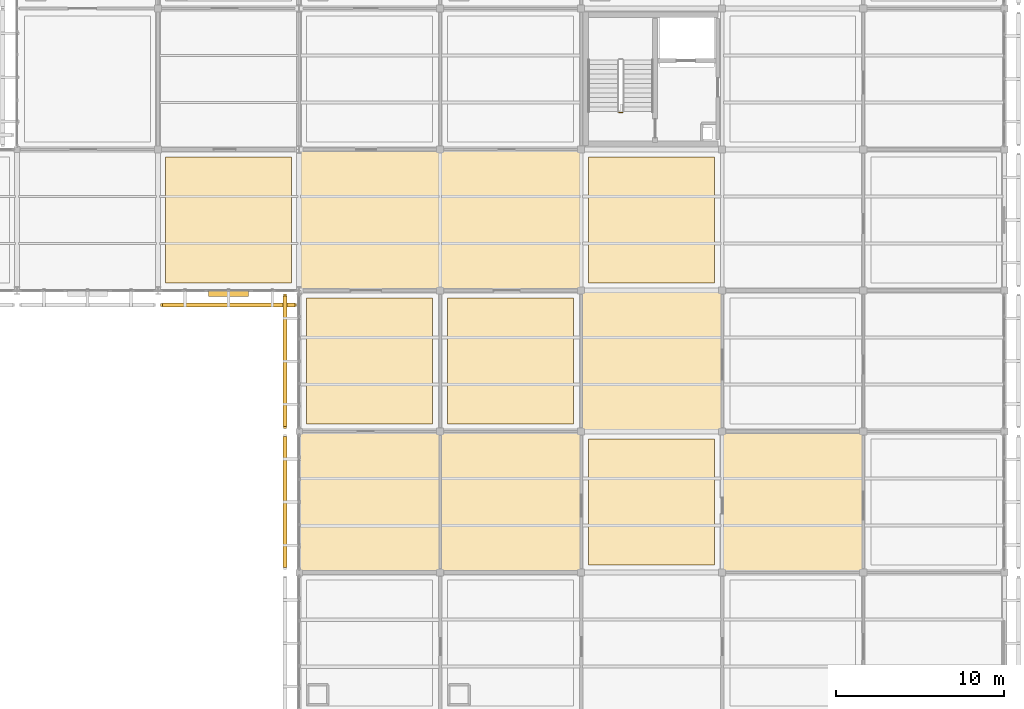
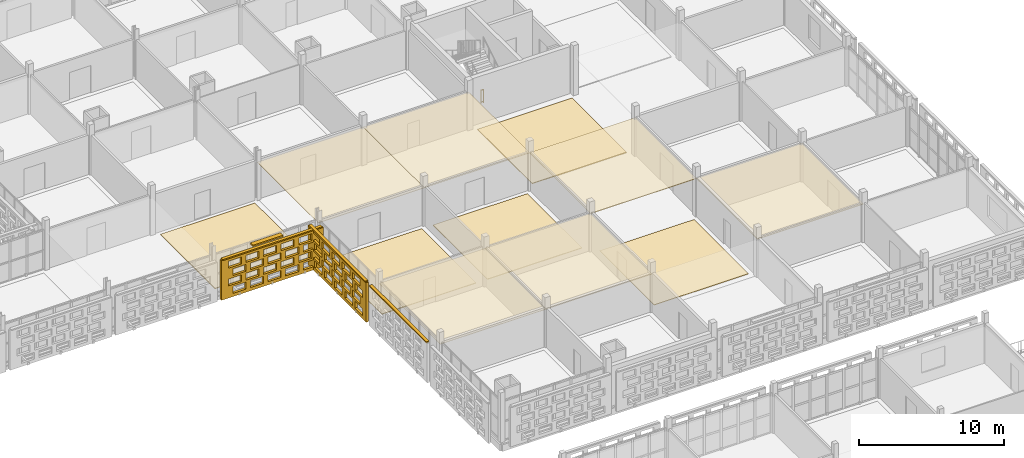
# One storey, part 160 of 166: 13 coverings, 4 shading devices, 1 railing, 40 openings.
"""IFC4 building model written with IfcOpenShell, lengths in metres."""

from ifc_helpers import new_model, si_unit, direction, frame, frame_2d, origin, origin_2d, place, context, subcontext, project, spatial, rectangle, circle, extrude, material, layer, layer_set, type_object, element, save


model = new_model("IFC4")

# Units and contexts
model_context = context("Model", 3, precision=1e-05, world=origin(), true_north=direction((0.0, 1.0)))
body_context = subcontext(model_context, "Body", "Model", "MODEL_VIEW")
ifc_project = project(units=[si_unit("LENGTHUNIT", "METRE"), si_unit("AREAUNIT", "SQUARE_METRE"), si_unit("VOLUMEUNIT", "CUBIC_METRE"), si_unit("PLANEANGLEUNIT", "RADIAN"), si_unit("MASSUNIT", "GRAM", prefix="KILO")], contexts=[model_context])

# Site, building, storey
site_placement = place(None, origin())
site = spatial("IfcSite", under=ifc_project, at=site_placement, CompositionType="ELEMENT")
building_placement = place(site_placement, origin())
building = spatial("IfcBuilding", under=site, at=building_placement, Name="Varnapada Polytechnic", CompositionType="ELEMENT")
storey_placement = place(building_placement, frame((0.0, 0.0, 9.60009765625)))
storey = spatial("IfcBuildingStorey", under=building, at=storey_placement, Name="L02", CompositionType="ELEMENT", Elevation=9.60009765625)

# Coverings
ifc_material_1 = material(Name="Anti-Static Raised Laboratory Flooring")
ifc_layer_1 = layer(ifc_material_1, 0.06005859375)
ifc_layer_set_1 = layer_set([ifc_layer_1], Name="Anti-Static Raised Laboratory Flooring")
covering_type_1 = type_object("IfcCoveringType", Name="Floor Finish FLR-02", PredefinedType="FLOORING", material=ifc_layer_set_1)
for number, where, z_axis, x_axis, name in (
    (1, (130.199951171875, 88.199951171875, -0.000244140625), (0.0, 0.0, 1.0), (1.0, 0.0, 0.0), "L02 floor finish panel (16,11)"),
    (2, (138.60009765625, 79.800048828125, -0.000244140625), (0.0, 0.0, 1.0), (1.0, 0.0, 0.0), "L02 floor finish panel (17,10)"),
    (3, (147.0, 79.800048828125, -0.000244140625), (0.0, 0.0, 1.0), (1.0, 0.0, 0.0), "L02 floor finish panel (18,10)"),
    (4, (155.39990234375, 88.199951171875, -0.000244140625), (0.0, 0.0, 1.0), (1.0, 0.0, 0.0), "L02 floor finish panel (19,11)"),
):
    element("IfcCovering", number, at=place(storey_placement, frame(where, z_axis=z_axis, x_axis=x_axis)), inside=storey, type_object=covering_type_1, Name=name, PredefinedType="FLOORING", context=body_context, shape_type="SweptSolid", body=[
        extrude(rectangle(XDim=7.5, YDim=7.5, at=origin_2d()), origin(), (0.0, 0.0, 1.0), 0.06005859375),
    ])
ifc_material_2 = material(Name="Acoustic Rubber Seminar Flooring")
ifc_layer_2 = layer(ifc_material_2, 0.0400390625)
ifc_layer_set_2 = layer_set([ifc_layer_2], Name="Acoustic Rubber Seminar Flooring")
covering_type_2 = type_object("IfcCoveringType", Name="Floor Finish FLR-06", PredefinedType="FLOORING", material=ifc_layer_set_2)
covering_1_placement = place(storey_placement, frame((155.39990234375, 71.39990234375, 0.0), z_axis=(0.0, 0.0, 1.0), x_axis=(1.0, 0.0, 0.0)))
element("IfcCovering", 5, at=covering_1_placement, inside=storey, type_object=covering_type_2, Name="L02 floor finish panel (19,9)", PredefinedType="FLOORING", context=body_context, shape_type="SweptSolid", body=[
    extrude(rectangle(XDim=7.5, YDim=7.5, at=origin_2d()), origin(), (0.0, 0.0, 1.0), 0.0400390625),
])

# Shading device
ifc_material_3 = material(Name="Anodised aluminium", Category="aluminium")
ifc_layer_3 = layer(ifc_material_3, 0.35009765625)
ifc_layer_set_3 = layer_set([ifc_layer_3], Name="Anodised aluminium")
shading_device_type_1 = type_object("IfcShadingDeviceType", Name="Solar Louvre LVR-01", PredefinedType="JALOUSIE", material=ifc_layer_set_3)
shading_device_1_placement = place(storey_placement, frame((130.199951171875, 83.820068359375, 3.159912109375), z_axis=(0.0, 0.0, 1.0), x_axis=(-1.0, 0.0, 0.0)))
element("IfcShadingDevice", 6, at=shading_device_1_placement, inside=storey, type_object=shading_device_type_1, Name="L02 aluminium sun louvre 76", PredefinedType="JALOUSIE", context=body_context, shape_type="SweptSolid", body=[
    extrude(rectangle(XDim=2.39990234375, YDim=0.340087890625, at=origin_2d()), origin(), (0.0, 0.0, 1.0), 0.1201171875),
])

# Railing
ifc_material_4 = material(Name="Brushed Stainless Steel 316", Category="steel")
railing_type = type_object("IfcRailingType", Name="Stair Well Guard Rail SGR-01", PredefinedType="BALUSTRADE", material=ifc_material_4)
railing_placement = place(storey_placement, frame((153.64990234375, 94.60009765625, 0.0)))
element("IfcRailing", 7, at=railing_placement, inside=storey, type_object=railing_type, Name="L02 ST-5 stair guard 4", PredefinedType="BALUSTRADE", context=body_context, shape_type="SweptSolid", body=[
    extrude(circle(Radius=0.02392578125, at=origin_2d()), frame((0.0, 0.0, 1.09619140625), z_axis=(-1.0, 0.0, 0.0), x_axis=(0.0, -1.0, 0.0)), (0.0, 0.0, 1.0), 0.199951171875),
    extrude(circle(Radius=0.02392578125, at=origin_2d()), frame((0.0, 0.0, 0.10009765625), z_axis=(-1.0, 0.0, 0.0), x_axis=(0.0, -1.0, 0.0)), (0.0, 0.0, 1.0), 0.199951171875),
    extrude(circle(Radius=0.02099609375, at=origin_2d()), origin(), (0.0, 0.0, 1.0), 1.072021484375),
    extrude(circle(Radius=0.02099609375, at=origin_2d()), frame((-0.199951171875, 0.0, 0.0)), (0.0, 0.0, 1.0), 1.072021484375),
])

# Coverings
ifc_material_5 = material(Name="Mineral Fibre Acoustic Ceiling Tile")
ifc_layer_4 = layer(ifc_material_5, 0.0400390625)
ifc_layer_set_4 = layer_set([ifc_layer_4], Name="Mineral Fibre Acoustic Ceiling Tile")
covering_type_3 = type_object("IfcCoveringType", Name="Suspended Ceiling CLG-01", PredefinedType="CEILING", material=ifc_layer_set_4)
covering_2_placement = place(storey_placement, frame((138.60009765625, 88.199951171875, 3.02978515625), z_axis=(0.0, 0.0, 1.0), x_axis=(1.0, 0.0, 0.0)))
element("IfcCovering", 8, at=covering_2_placement, inside=storey, type_object=covering_type_3, Name="L02 suspended acoustic ceiling (17,11)", PredefinedType="CEILING", context=body_context, shape_type="SweptSolid", body=[
    extrude(rectangle(XDim=8.419921875, YDim=8.419921875, at=origin_2d()), origin(), (0.0, 0.0, 1.0), 0.0400390625),
])
ifc_material_6 = material(Name="Perforated Timber Slatted Baffle Ceiling", Category="wood")
ifc_layer_5 = layer(ifc_material_6, 0.050048828125)
ifc_layer_set_5 = layer_set([ifc_layer_5], Name="Perforated Timber Slatted Baffle Ceiling")
covering_type_4 = type_object("IfcCoveringType", Name="Suspended Ceiling CLG-02", PredefinedType="CEILING", material=ifc_layer_set_5)
covering_3_placement = place(storey_placement, frame((155.39990234375, 79.800048828125, 3.02490234375), z_axis=(0.0, 0.0, 1.0), x_axis=(1.0, 0.0, 0.0)))
element("IfcCovering", 9, at=covering_3_placement, inside=storey, type_object=covering_type_4, Name="L02 suspended acoustic ceiling (19,10)", PredefinedType="CEILING", context=body_context, shape_type="SweptSolid", body=[
    extrude(rectangle(XDim=8.419921875, YDim=8.419921875, at=origin_2d()), origin(), (0.0, 0.0, 1.0), 0.050048828125),
])
ifc_material_7 = material(Name="Micro-Perforated Gypsum Acoustic Ceiling")
ifc_layer_6 = layer(ifc_material_7, 0.044921875)
ifc_layer_set_6 = layer_set([ifc_layer_6], Name="Micro-Perforated Gypsum Acoustic Ceiling")
covering_type_5 = type_object("IfcCoveringType", Name="Suspended Ceiling CLG-04", PredefinedType="CEILING", material=ifc_layer_set_6)
covering_4_placement = place(storey_placement, frame((147.0, 71.39990234375, 3.02734375), z_axis=(0.0, 0.0, 1.0), x_axis=(1.0, 0.0, 0.0)))
element("IfcCovering", 10, at=covering_4_placement, inside=storey, type_object=covering_type_5, Name="L02 suspended acoustic ceiling (18,9)", PredefinedType="CEILING", context=body_context, shape_type="SweptSolid", body=[
    extrude(rectangle(XDim=8.419921875, YDim=8.419921875, at=origin_2d()), origin(), (0.0, 0.0, 1.0), 0.044921875),
])
ifc_material_8 = material(Name="Slatted Merbau Timber Acoustic Ceiling", Category="wood")
ifc_layer_7 = layer(ifc_material_8, 0.054931640625)
ifc_layer_set_7 = layer_set([ifc_layer_7], Name="Slatted Merbau Timber Acoustic Ceiling")
covering_type_6 = type_object("IfcCoveringType", Name="Suspended Ceiling CLG-05", PredefinedType="CEILING", material=ifc_layer_set_7)
covering_5_placement = place(storey_placement, frame((163.800048828125, 71.39990234375, 3.0224609375), z_axis=(0.0, 0.0, 1.0), x_axis=(1.0, 0.0, 0.0)))
element("IfcCovering", 11, at=covering_5_placement, inside=storey, type_object=covering_type_6, Name="L02 suspended acoustic ceiling (20,9)", PredefinedType="CEILING", context=body_context, shape_type="SweptSolid", body=[
    extrude(rectangle(XDim=8.419921875, YDim=8.419921875, at=origin_2d()), origin(), (0.0, 0.0, 1.0), 0.054931640625),
])
ifc_material_9 = material(Name="Cleanroom Laboratory Metal Pan Ceiling")
ifc_layer_8 = layer(ifc_material_9, 0.034912109375)
ifc_layer_set_8 = layer_set([ifc_layer_8], Name="Cleanroom Laboratory Metal Pan Ceiling")
covering_type_7 = type_object("IfcCoveringType", Name="Suspended Ceiling CLG-06", PredefinedType="CEILING", material=ifc_layer_set_8)
for number, where, z_axis, x_axis, name in (
    (12, (138.60009765625, 71.39990234375, 3.0322265625), (0.0, 0.0, 1.0), (1.0, 0.0, 0.0), "L02 suspended acoustic ceiling (17,9)"),
    (13, (147.0, 88.199951171875, 3.0322265625), (0.0, 0.0, 1.0), (1.0, 0.0, 0.0), "L02 suspended acoustic ceiling (18,11)"),
):
    element("IfcCovering", number, at=place(storey_placement, frame(where, z_axis=z_axis, x_axis=x_axis)), inside=storey, type_object=covering_type_7, Name=name, PredefinedType="CEILING", context=body_context, shape_type="SweptSolid", body=[
        extrude(rectangle(XDim=8.419921875, YDim=8.419921875, at=origin_2d()), origin(), (0.0, 0.0, 1.0), 0.034912109375),
    ])

# Covering, openings
ifc_material_10 = material(Name="Earth-toned architectural terracotta screen block", Category="masonry")
ifc_layer_9 = layer(ifc_material_10, 0.1201171875)
ifc_layer_set_9 = layer_set([ifc_layer_9], Name="Earth-toned architectural terracotta screen block")
covering_type_8 = type_object("IfcCoveringType", Name="Terracotta Screen Cladding CLD-01", PredefinedType="CLADDING", material=ifc_layer_set_9)
covering_6_placement = place(storey_placement, frame((134.25, 83.14990234375, 0.0), z_axis=(0.0, 0.0, 1.0), x_axis=(-1.0, 0.0, 0.0)))
covering_6 = element("IfcCovering", 14, at=covering_6_placement, inside=storey, type_object=covering_type_8, Name="L02 perforated terracotta block screen (76)", PredefinedType="CLADDING", context=body_context, shape_type="SweptSolid", body=[
    extrude(rectangle(XDim=8.10009765625, YDim=0.179931640625, at=frame_2d((4.050048828125, 0.0))), origin(), (0.0, 0.0, 1.0), 3.31982421875),
])
opening_1_placement = place(covering_6_placement, frame((0.550048828125, 0.0, 0.265625)))
element("IfcOpeningElement", 15, at=opening_1_placement, cuts=covering_6, Name="Screen perforation TBS-L02-075.1", PredefinedType="OPENING", context=body_context, shape_type="SweptSolid", body=[
    extrude(rectangle(XDim=1.0400390625, YDim=0.5810546875, at=frame_2d((0.52001953125, 0.29052734375))), frame((0.0, 0.099853515625, 0.0), z_axis=(0.0, -1.0, 0.0), x_axis=(1.0, 0.0, 0.0)), (0.0, 0.0, 1.0), 0.199951171875),
])
opening_2_placement = place(covering_6_placement, frame((1.949951171875, 0.0, 0.265625)))
element("IfcOpeningElement", 16, at=opening_2_placement, cuts=covering_6, Name="Screen perforation TBS-L02-075.2", PredefinedType="OPENING", context=body_context, shape_type="SweptSolid", body=[
    extrude(rectangle(XDim=1.0400390625, YDim=0.5810546875, at=frame_2d((0.52001953125, 0.29052734375))), frame((0.0, 0.099853515625, 0.0), z_axis=(0.0, -1.0, 0.0), x_axis=(1.0, 0.0, 0.0)), (0.0, 0.0, 1.0), 0.199951171875),
])
opening_3_placement = place(covering_6_placement, frame((3.35009765625, 0.0, 0.265625)))
element("IfcOpeningElement", 17, at=opening_3_placement, cuts=covering_6, Name="Screen perforation TBS-L02-075.3", PredefinedType="OPENING", context=body_context, shape_type="SweptSolid", body=[
    extrude(rectangle(XDim=1.0400390625, YDim=0.5810546875, at=frame_2d((0.52001953125, 0.29052734375))), frame((0.0, 0.099853515625, 0.0), z_axis=(0.0, -1.0, 0.0), x_axis=(1.0, 0.0, 0.0)), (0.0, 0.0, 1.0), 0.199951171875),
])
opening_4_placement = place(covering_6_placement, frame((4.75, 0.0, 0.265625)))
element("IfcOpeningElement", 18, at=opening_4_placement, cuts=covering_6, Name="Screen perforation TBS-L02-075.4", PredefinedType="OPENING", context=body_context, shape_type="SweptSolid", body=[
    extrude(rectangle(XDim=1.0400390625, YDim=0.5810546875, at=frame_2d((0.52001953125, 0.29052734375))), frame((0.0, 0.099853515625, 0.0), z_axis=(0.0, -1.0, 0.0), x_axis=(1.0, 0.0, 0.0)), (0.0, 0.0, 1.0), 0.199951171875),
])
opening_5_placement = place(covering_6_placement, frame((6.14990234375, 0.0, 0.265625)))
element("IfcOpeningElement", 19, at=opening_5_placement, cuts=covering_6, Name="Screen perforation TBS-L02-075.5", PredefinedType="OPENING", context=body_context, shape_type="SweptSolid", body=[
    extrude(rectangle(XDim=1.0400390625, YDim=0.5810546875, at=frame_2d((0.52001953125, 0.29052734375))), frame((0.0, 0.099853515625, 0.0), z_axis=(0.0, -1.0, 0.0), x_axis=(1.0, 0.0, 0.0)), (0.0, 0.0, 1.0), 0.199951171875),
])
opening_6_placement = place(covering_6_placement, frame((0.909912109375, 0.0, 1.0126953125)))
element("IfcOpeningElement", 20, at=opening_6_placement, cuts=covering_6, Name="Screen perforation TBS-L02-075.6", PredefinedType="OPENING", context=body_context, shape_type="SweptSolid", body=[
    extrude(rectangle(XDim=1.0400390625, YDim=0.5810546875, at=frame_2d((0.52001953125, 0.29052734375))), frame((0.0, 0.099853515625, 0.0), z_axis=(0.0, -1.0, 0.0), x_axis=(1.0, 0.0, 0.0)), (0.0, 0.0, 1.0), 0.199951171875),
])
opening_7_placement = place(covering_6_placement, frame((2.31005859375, 0.0, 1.0126953125)))
element("IfcOpeningElement", 21, at=opening_7_placement, cuts=covering_6, Name="Screen perforation TBS-L02-075.7", PredefinedType="OPENING", context=body_context, shape_type="SweptSolid", body=[
    extrude(rectangle(XDim=1.0400390625, YDim=0.5810546875, at=frame_2d((0.52001953125, 0.29052734375))), frame((0.0, 0.099853515625, 0.0), z_axis=(0.0, -1.0, 0.0), x_axis=(1.0, 0.0, 0.0)), (0.0, 0.0, 1.0), 0.199951171875),
])
opening_8_placement = place(covering_6_placement, frame((3.7099609375, 0.0, 1.0126953125)))
element("IfcOpeningElement", 22, at=opening_8_placement, cuts=covering_6, Name="Screen perforation TBS-L02-075.8", PredefinedType="OPENING", context=body_context, shape_type="SweptSolid", body=[
    extrude(rectangle(XDim=1.0400390625, YDim=0.5810546875, at=frame_2d((0.52001953125, 0.29052734375))), frame((0.0, 0.099853515625, 0.0), z_axis=(0.0, -1.0, 0.0), x_axis=(1.0, 0.0, 0.0)), (0.0, 0.0, 1.0), 0.199951171875),
])
opening_9_placement = place(covering_6_placement, frame((5.110107421875, 0.0, 1.0126953125)))
element("IfcOpeningElement", 23, at=opening_9_placement, cuts=covering_6, Name="Screen perforation TBS-L02-075.9", PredefinedType="OPENING", context=body_context, shape_type="SweptSolid", body=[
    extrude(rectangle(XDim=1.0400390625, YDim=0.5810546875, at=frame_2d((0.52001953125, 0.29052734375))), frame((0.0, 0.099853515625, 0.0), z_axis=(0.0, -1.0, 0.0), x_axis=(1.0, 0.0, 0.0)), (0.0, 0.0, 1.0), 0.199951171875),
])
opening_10_placement = place(covering_6_placement, frame((6.510009765625, 0.0, 1.0126953125)))
element("IfcOpeningElement", 24, at=opening_10_placement, cuts=covering_6, Name="Screen perforation TBS-L02-075.10", PredefinedType="OPENING", context=body_context, shape_type="SweptSolid", body=[
    extrude(rectangle(XDim=1.0400390625, YDim=0.5810546875, at=frame_2d((0.52001953125, 0.29052734375))), frame((0.0, 0.099853515625, 0.0), z_axis=(0.0, -1.0, 0.0), x_axis=(1.0, 0.0, 0.0)), (0.0, 0.0, 1.0), 0.199951171875),
])
opening_11_placement = place(covering_6_placement, frame((0.550048828125, 0.0, 1.759521484375)))
element("IfcOpeningElement", 25, at=opening_11_placement, cuts=covering_6, Name="Screen perforation TBS-L02-075.11", PredefinedType="OPENING", context=body_context, shape_type="SweptSolid", body=[
    extrude(rectangle(XDim=1.0400390625, YDim=0.5810546875, at=frame_2d((0.52001953125, 0.29052734375))), frame((0.0, 0.099853515625, 0.0), z_axis=(0.0, -1.0, 0.0), x_axis=(1.0, 0.0, 0.0)), (0.0, 0.0, 1.0), 0.199951171875),
])
opening_12_placement = place(covering_6_placement, frame((1.949951171875, 0.0, 1.759521484375)))
element("IfcOpeningElement", 26, at=opening_12_placement, cuts=covering_6, Name="Screen perforation TBS-L02-075.12", PredefinedType="OPENING", context=body_context, shape_type="SweptSolid", body=[
    extrude(rectangle(XDim=1.0400390625, YDim=0.5810546875, at=frame_2d((0.52001953125, 0.29052734375))), frame((0.0, 0.099853515625, 0.0), z_axis=(0.0, -1.0, 0.0), x_axis=(1.0, 0.0, 0.0)), (0.0, 0.0, 1.0), 0.199951171875),
])
opening_13_placement = place(covering_6_placement, frame((3.35009765625, 0.0, 1.759521484375)))
element("IfcOpeningElement", 27, at=opening_13_placement, cuts=covering_6, Name="Screen perforation TBS-L02-075.13", PredefinedType="OPENING", context=body_context, shape_type="SweptSolid", body=[
    extrude(rectangle(XDim=1.0400390625, YDim=0.5810546875, at=frame_2d((0.52001953125, 0.29052734375))), frame((0.0, 0.099853515625, 0.0), z_axis=(0.0, -1.0, 0.0), x_axis=(1.0, 0.0, 0.0)), (0.0, 0.0, 1.0), 0.199951171875),
])
opening_14_placement = place(covering_6_placement, frame((4.75, 0.0, 1.759521484375)))
element("IfcOpeningElement", 28, at=opening_14_placement, cuts=covering_6, Name="Screen perforation TBS-L02-075.14", PredefinedType="OPENING", context=body_context, shape_type="SweptSolid", body=[
    extrude(rectangle(XDim=1.0400390625, YDim=0.5810546875, at=frame_2d((0.52001953125, 0.29052734375))), frame((0.0, 0.099853515625, 0.0), z_axis=(0.0, -1.0, 0.0), x_axis=(1.0, 0.0, 0.0)), (0.0, 0.0, 1.0), 0.199951171875),
])
opening_15_placement = place(covering_6_placement, frame((6.14990234375, 0.0, 1.759521484375)))
element("IfcOpeningElement", 29, at=opening_15_placement, cuts=covering_6, Name="Screen perforation TBS-L02-075.15", PredefinedType="OPENING", context=body_context, shape_type="SweptSolid", body=[
    extrude(rectangle(XDim=1.0400390625, YDim=0.5810546875, at=frame_2d((0.52001953125, 0.29052734375))), frame((0.0, 0.099853515625, 0.0), z_axis=(0.0, -1.0, 0.0), x_axis=(1.0, 0.0, 0.0)), (0.0, 0.0, 1.0), 0.199951171875),
])
opening_16_placement = place(covering_6_placement, frame((0.909912109375, 0.0, 2.506591796875)))
element("IfcOpeningElement", 30, at=opening_16_placement, cuts=covering_6, Name="Screen perforation TBS-L02-075.16", PredefinedType="OPENING", context=body_context, shape_type="SweptSolid", body=[
    extrude(rectangle(XDim=1.0400390625, YDim=0.5810546875, at=frame_2d((0.52001953125, 0.29052734375))), frame((0.0, 0.099853515625, 0.0), z_axis=(0.0, -1.0, 0.0), x_axis=(1.0, 0.0, 0.0)), (0.0, 0.0, 1.0), 0.199951171875),
])
opening_17_placement = place(covering_6_placement, frame((2.31005859375, 0.0, 2.506591796875)))
element("IfcOpeningElement", 31, at=opening_17_placement, cuts=covering_6, Name="Screen perforation TBS-L02-075.17", PredefinedType="OPENING", context=body_context, shape_type="SweptSolid", body=[
    extrude(rectangle(XDim=1.0400390625, YDim=0.5810546875, at=frame_2d((0.52001953125, 0.29052734375))), frame((0.0, 0.099853515625, 0.0), z_axis=(0.0, -1.0, 0.0), x_axis=(1.0, 0.0, 0.0)), (0.0, 0.0, 1.0), 0.199951171875),
])
opening_18_placement = place(covering_6_placement, frame((3.7099609375, 0.0, 2.506591796875)))
element("IfcOpeningElement", 32, at=opening_18_placement, cuts=covering_6, Name="Screen perforation TBS-L02-075.18", PredefinedType="OPENING", context=body_context, shape_type="SweptSolid", body=[
    extrude(rectangle(XDim=1.0400390625, YDim=0.5810546875, at=frame_2d((0.52001953125, 0.29052734375))), frame((0.0, 0.099853515625, 0.0), z_axis=(0.0, -1.0, 0.0), x_axis=(1.0, 0.0, 0.0)), (0.0, 0.0, 1.0), 0.199951171875),
])
opening_19_placement = place(covering_6_placement, frame((5.110107421875, 0.0, 2.506591796875)))
element("IfcOpeningElement", 33, at=opening_19_placement, cuts=covering_6, Name="Screen perforation TBS-L02-075.19", PredefinedType="OPENING", context=body_context, shape_type="SweptSolid", body=[
    extrude(rectangle(XDim=1.0400390625, YDim=0.5810546875, at=frame_2d((0.52001953125, 0.29052734375))), frame((0.0, 0.099853515625, 0.0), z_axis=(0.0, -1.0, 0.0), x_axis=(1.0, 0.0, 0.0)), (0.0, 0.0, 1.0), 0.199951171875),
])
opening_20_placement = place(covering_6_placement, frame((6.510009765625, 0.0, 2.506591796875)))
element("IfcOpeningElement", 34, at=opening_20_placement, cuts=covering_6, Name="Screen perforation TBS-L02-075.20", PredefinedType="OPENING", context=body_context, shape_type="SweptSolid", body=[
    extrude(rectangle(XDim=1.0400390625, YDim=0.5810546875, at=frame_2d((0.52001953125, 0.29052734375))), frame((0.0, 0.099853515625, 0.0), z_axis=(0.0, -1.0, 0.0), x_axis=(1.0, 0.0, 0.0)), (0.0, 0.0, 1.0), 0.199951171875),
])

covering_7_placement = place(storey_placement, frame((133.550048828125, 75.7900390625, 0.0), z_axis=(0.0, 0.0, 1.0), x_axis=(0.0, 1.0, 0.0)))
covering_7 = element("IfcCovering", 35, at=covering_7_placement, inside=storey, type_object=covering_type_8, Name="L02 perforated terracotta block screen (89)", PredefinedType="CLADDING", context=body_context, shape_type="SweptSolid", body=[
    extrude(rectangle(XDim=7.989990234375, YDim=0.179931640625, at=frame_2d((3.9951171875, 0.0))), origin(), (0.0, 0.0, 1.0), 3.31982421875),
])
opening_21_placement = place(covering_7_placement, frame((0.4951171875, 0.0, 0.265625)))
element("IfcOpeningElement", 36, at=opening_21_placement, cuts=covering_7, Name="Screen perforation TBS-L02-088.1", PredefinedType="OPENING", context=body_context, shape_type="SweptSolid", body=[
    extrude(rectangle(XDim=1.0400390625, YDim=0.5810546875, at=frame_2d((0.52001953125, 0.29052734375))), frame((0.0, 0.099853515625, 0.0), z_axis=(0.0, -1.0, 0.0), x_axis=(1.0, 0.0, 0.0)), (0.0, 0.0, 1.0), 0.199951171875),
])
opening_22_placement = place(covering_7_placement, frame((1.89501953125, 0.0, 0.265625)))
element("IfcOpeningElement", 37, at=opening_22_placement, cuts=covering_7, Name="Screen perforation TBS-L02-088.2", PredefinedType="OPENING", context=body_context, shape_type="SweptSolid", body=[
    extrude(rectangle(XDim=1.0400390625, YDim=0.5810546875, at=frame_2d((0.52001953125, 0.29052734375))), frame((0.0, 0.099853515625, 0.0), z_axis=(0.0, -1.0, 0.0), x_axis=(1.0, 0.0, 0.0)), (0.0, 0.0, 1.0), 0.199951171875),
])
opening_23_placement = place(covering_7_placement, frame((3.294921875, 0.0, 0.265625)))
element("IfcOpeningElement", 38, at=opening_23_placement, cuts=covering_7, Name="Screen perforation TBS-L02-088.3", PredefinedType="OPENING", context=body_context, shape_type="SweptSolid", body=[
    extrude(rectangle(XDim=1.0400390625, YDim=0.5810546875, at=frame_2d((0.52001953125, 0.29052734375))), frame((0.0, 0.099853515625, 0.0), z_axis=(0.0, -1.0, 0.0), x_axis=(1.0, 0.0, 0.0)), (0.0, 0.0, 1.0), 0.199951171875),
])
opening_24_placement = place(covering_7_placement, frame((4.695068359375, 0.0, 0.265625)))
element("IfcOpeningElement", 39, at=opening_24_placement, cuts=covering_7, Name="Screen perforation TBS-L02-088.4", PredefinedType="OPENING", context=body_context, shape_type="SweptSolid", body=[
    extrude(rectangle(XDim=1.0400390625, YDim=0.5810546875, at=frame_2d((0.52001953125, 0.29052734375))), frame((0.0, 0.099853515625, 0.0), z_axis=(0.0, -1.0, 0.0), x_axis=(1.0, 0.0, 0.0)), (0.0, 0.0, 1.0), 0.199951171875),
])
opening_25_placement = place(covering_7_placement, frame((6.094970703125, 0.0, 0.265625)))
element("IfcOpeningElement", 40, at=opening_25_placement, cuts=covering_7, Name="Screen perforation TBS-L02-088.5", PredefinedType="OPENING", context=body_context, shape_type="SweptSolid", body=[
    extrude(rectangle(XDim=1.0400390625, YDim=0.5810546875, at=frame_2d((0.52001953125, 0.29052734375))), frame((0.0, 0.099853515625, 0.0), z_axis=(0.0, -1.0, 0.0), x_axis=(1.0, 0.0, 0.0)), (0.0, 0.0, 1.0), 0.199951171875),
])
opening_26_placement = place(covering_7_placement, frame((0.85498046875, 0.0, 1.0126953125)))
element("IfcOpeningElement", 41, at=opening_26_placement, cuts=covering_7, Name="Screen perforation TBS-L02-088.6", PredefinedType="OPENING", context=body_context, shape_type="SweptSolid", body=[
    extrude(rectangle(XDim=1.0400390625, YDim=0.5810546875, at=frame_2d((0.52001953125, 0.29052734375))), frame((0.0, 0.099853515625, 0.0), z_axis=(0.0, -1.0, 0.0), x_axis=(1.0, 0.0, 0.0)), (0.0, 0.0, 1.0), 0.199951171875),
])
opening_27_placement = place(covering_7_placement, frame((2.2548828125, 0.0, 1.0126953125)))
element("IfcOpeningElement", 42, at=opening_27_placement, cuts=covering_7, Name="Screen perforation TBS-L02-088.7", PredefinedType="OPENING", context=body_context, shape_type="SweptSolid", body=[
    extrude(rectangle(XDim=1.0400390625, YDim=0.5810546875, at=frame_2d((0.52001953125, 0.29052734375))), frame((0.0, 0.099853515625, 0.0), z_axis=(0.0, -1.0, 0.0), x_axis=(1.0, 0.0, 0.0)), (0.0, 0.0, 1.0), 0.199951171875),
])
opening_28_placement = place(covering_7_placement, frame((3.655029296875, 0.0, 1.0126953125)))
element("IfcOpeningElement", 43, at=opening_28_placement, cuts=covering_7, Name="Screen perforation TBS-L02-088.8", PredefinedType="OPENING", context=body_context, shape_type="SweptSolid", body=[
    extrude(rectangle(XDim=1.0400390625, YDim=0.5810546875, at=frame_2d((0.52001953125, 0.29052734375))), frame((0.0, 0.099853515625, 0.0), z_axis=(0.0, -1.0, 0.0), x_axis=(1.0, 0.0, 0.0)), (0.0, 0.0, 1.0), 0.199951171875),
])
opening_29_placement = place(covering_7_placement, frame((5.054931640625, 0.0, 1.0126953125)))
element("IfcOpeningElement", 44, at=opening_29_placement, cuts=covering_7, Name="Screen perforation TBS-L02-088.9", PredefinedType="OPENING", context=body_context, shape_type="SweptSolid", body=[
    extrude(rectangle(XDim=1.0400390625, YDim=0.5810546875, at=frame_2d((0.52001953125, 0.29052734375))), frame((0.0, 0.099853515625, 0.0), z_axis=(0.0, -1.0, 0.0), x_axis=(1.0, 0.0, 0.0)), (0.0, 0.0, 1.0), 0.199951171875),
])
opening_30_placement = place(covering_7_placement, frame((6.455078125, 0.0, 1.0126953125)))
element("IfcOpeningElement", 45, at=opening_30_placement, cuts=covering_7, Name="Screen perforation TBS-L02-088.10", PredefinedType="OPENING", context=body_context, shape_type="SweptSolid", body=[
    extrude(rectangle(XDim=1.0400390625, YDim=0.5810546875, at=frame_2d((0.52001953125, 0.29052734375))), frame((0.0, 0.099853515625, 0.0), z_axis=(0.0, -1.0, 0.0), x_axis=(1.0, 0.0, 0.0)), (0.0, 0.0, 1.0), 0.199951171875),
])
opening_31_placement = place(covering_7_placement, frame((0.4951171875, 0.0, 1.759521484375)))
element("IfcOpeningElement", 46, at=opening_31_placement, cuts=covering_7, Name="Screen perforation TBS-L02-088.11", PredefinedType="OPENING", context=body_context, shape_type="SweptSolid", body=[
    extrude(rectangle(XDim=1.0400390625, YDim=0.5810546875, at=frame_2d((0.52001953125, 0.29052734375))), frame((0.0, 0.099853515625, 0.0), z_axis=(0.0, -1.0, 0.0), x_axis=(1.0, 0.0, 0.0)), (0.0, 0.0, 1.0), 0.199951171875),
])
opening_32_placement = place(covering_7_placement, frame((1.89501953125, 0.0, 1.759521484375)))
element("IfcOpeningElement", 47, at=opening_32_placement, cuts=covering_7, Name="Screen perforation TBS-L02-088.12", PredefinedType="OPENING", context=body_context, shape_type="SweptSolid", body=[
    extrude(rectangle(XDim=1.0400390625, YDim=0.5810546875, at=frame_2d((0.52001953125, 0.29052734375))), frame((0.0, 0.099853515625, 0.0), z_axis=(0.0, -1.0, 0.0), x_axis=(1.0, 0.0, 0.0)), (0.0, 0.0, 1.0), 0.199951171875),
])
opening_33_placement = place(covering_7_placement, frame((3.294921875, 0.0, 1.759521484375)))
element("IfcOpeningElement", 48, at=opening_33_placement, cuts=covering_7, Name="Screen perforation TBS-L02-088.13", PredefinedType="OPENING", context=body_context, shape_type="SweptSolid", body=[
    extrude(rectangle(XDim=1.0400390625, YDim=0.5810546875, at=frame_2d((0.52001953125, 0.29052734375))), frame((0.0, 0.099853515625, 0.0), z_axis=(0.0, -1.0, 0.0), x_axis=(1.0, 0.0, 0.0)), (0.0, 0.0, 1.0), 0.199951171875),
])
opening_34_placement = place(covering_7_placement, frame((4.695068359375, 0.0, 1.759521484375)))
element("IfcOpeningElement", 49, at=opening_34_placement, cuts=covering_7, Name="Screen perforation TBS-L02-088.14", PredefinedType="OPENING", context=body_context, shape_type="SweptSolid", body=[
    extrude(rectangle(XDim=1.0400390625, YDim=0.5810546875, at=frame_2d((0.52001953125, 0.29052734375))), frame((0.0, 0.099853515625, 0.0), z_axis=(0.0, -1.0, 0.0), x_axis=(1.0, 0.0, 0.0)), (0.0, 0.0, 1.0), 0.199951171875),
])
opening_35_placement = place(covering_7_placement, frame((6.094970703125, 0.0, 1.759521484375)))
element("IfcOpeningElement", 50, at=opening_35_placement, cuts=covering_7, Name="Screen perforation TBS-L02-088.15", PredefinedType="OPENING", context=body_context, shape_type="SweptSolid", body=[
    extrude(rectangle(XDim=1.0400390625, YDim=0.5810546875, at=frame_2d((0.52001953125, 0.29052734375))), frame((0.0, 0.099853515625, 0.0), z_axis=(0.0, -1.0, 0.0), x_axis=(1.0, 0.0, 0.0)), (0.0, 0.0, 1.0), 0.199951171875),
])
opening_36_placement = place(covering_7_placement, frame((0.85498046875, 0.0, 2.506591796875)))
element("IfcOpeningElement", 51, at=opening_36_placement, cuts=covering_7, Name="Screen perforation TBS-L02-088.16", PredefinedType="OPENING", context=body_context, shape_type="SweptSolid", body=[
    extrude(rectangle(XDim=1.0400390625, YDim=0.5810546875, at=frame_2d((0.52001953125, 0.29052734375))), frame((0.0, 0.099853515625, 0.0), z_axis=(0.0, -1.0, 0.0), x_axis=(1.0, 0.0, 0.0)), (0.0, 0.0, 1.0), 0.199951171875),
])
opening_37_placement = place(covering_7_placement, frame((2.2548828125, 0.0, 2.506591796875)))
element("IfcOpeningElement", 52, at=opening_37_placement, cuts=covering_7, Name="Screen perforation TBS-L02-088.17", PredefinedType="OPENING", context=body_context, shape_type="SweptSolid", body=[
    extrude(rectangle(XDim=1.0400390625, YDim=0.5810546875, at=frame_2d((0.52001953125, 0.29052734375))), frame((0.0, 0.099853515625, 0.0), z_axis=(0.0, -1.0, 0.0), x_axis=(1.0, 0.0, 0.0)), (0.0, 0.0, 1.0), 0.199951171875),
])
opening_38_placement = place(covering_7_placement, frame((3.655029296875, 0.0, 2.506591796875)))
element("IfcOpeningElement", 53, at=opening_38_placement, cuts=covering_7, Name="Screen perforation TBS-L02-088.18", PredefinedType="OPENING", context=body_context, shape_type="SweptSolid", body=[
    extrude(rectangle(XDim=1.0400390625, YDim=0.5810546875, at=frame_2d((0.52001953125, 0.29052734375))), frame((0.0, 0.099853515625, 0.0), z_axis=(0.0, -1.0, 0.0), x_axis=(1.0, 0.0, 0.0)), (0.0, 0.0, 1.0), 0.199951171875),
])
opening_39_placement = place(covering_7_placement, frame((5.054931640625, 0.0, 2.506591796875)))
element("IfcOpeningElement", 54, at=opening_39_placement, cuts=covering_7, Name="Screen perforation TBS-L02-088.19", PredefinedType="OPENING", context=body_context, shape_type="SweptSolid", body=[
    extrude(rectangle(XDim=1.0400390625, YDim=0.5810546875, at=frame_2d((0.52001953125, 0.29052734375))), frame((0.0, 0.099853515625, 0.0), z_axis=(0.0, -1.0, 0.0), x_axis=(1.0, 0.0, 0.0)), (0.0, 0.0, 1.0), 0.199951171875),
])
opening_40_placement = place(covering_7_placement, frame((6.455078125, 0.0, 2.506591796875)))
element("IfcOpeningElement", 55, at=opening_40_placement, cuts=covering_7, Name="Screen perforation TBS-L02-088.20", PredefinedType="OPENING", context=body_context, shape_type="SweptSolid", body=[
    extrude(rectangle(XDim=1.0400390625, YDim=0.5810546875, at=frame_2d((0.52001953125, 0.29052734375))), frame((0.0, 0.099853515625, 0.0), z_axis=(0.0, -1.0, 0.0), x_axis=(1.0, 0.0, 0.0)), (0.0, 0.0, 1.0), 0.199951171875),
])

# Shading devices
ifc_layer_10 = layer(ifc_material_10, 0.179931640625)
ifc_layer_set_10 = layer_set([ifc_layer_10], Name="Earth-toned architectural terracotta screen block")
shading_device_type_2 = type_object("IfcShadingDeviceType", Name="Terracotta Screen SCR-01", PredefinedType="USERDEFINED", material=ifc_layer_set_10)
shading_device_2_placement = place(storey_placement, frame((130.199951171875, 83.14990234375, 3.309814453125), z_axis=(0.0, 0.0, 1.0), x_axis=(-1.0, 0.0, 0.0)))
element("IfcShadingDevice", 56, at=shading_device_2_placement, inside=storey, type_object=shading_device_type_2, Name="L02 perforated terracotta screen hood 301", ObjectType="SCREEN", PredefinedType="USERDEFINED", context=body_context, shape_type="SweptSolid", body=[
    extrude(rectangle(XDim=7.89990234375, YDim=0.239990234375, at=origin_2d()), origin(), (0.0, 0.0, 1.0), 0.10009765625),
])
shading_device_3_placement = place(storey_placement, frame((133.550048828125, 71.39990234375, 3.309814453125), z_axis=(0.0, 0.0, 1.0), x_axis=(0.0, 1.0, 0.0)))
element("IfcShadingDevice", 57, at=shading_device_3_placement, inside=storey, type_object=shading_device_type_2, Name="L02 perforated terracotta screen hood 312", ObjectType="SCREEN", PredefinedType="USERDEFINED", context=body_context, shape_type="SweptSolid", body=[
    extrude(rectangle(XDim=7.820068359375, YDim=0.239990234375, at=origin_2d()), origin(), (0.0, 0.0, 1.0), 0.10009765625),
])
shading_device_4_placement = place(storey_placement, frame((133.550048828125, 79.784912109375, 3.309814453125), z_axis=(0.0, 0.0, 1.0), x_axis=(0.0, 1.0, 0.0)))
element("IfcShadingDevice", 58, at=shading_device_4_placement, inside=storey, type_object=shading_device_type_2, Name="L02 perforated terracotta screen hood 313", ObjectType="SCREEN", PredefinedType="USERDEFINED", context=body_context, shape_type="SweptSolid", body=[
    extrude(rectangle(XDim=7.7900390625, YDim=0.239990234375, at=origin_2d()), origin(), (0.0, 0.0, 1.0), 0.10009765625),
])

save(model, "model.ifc")
